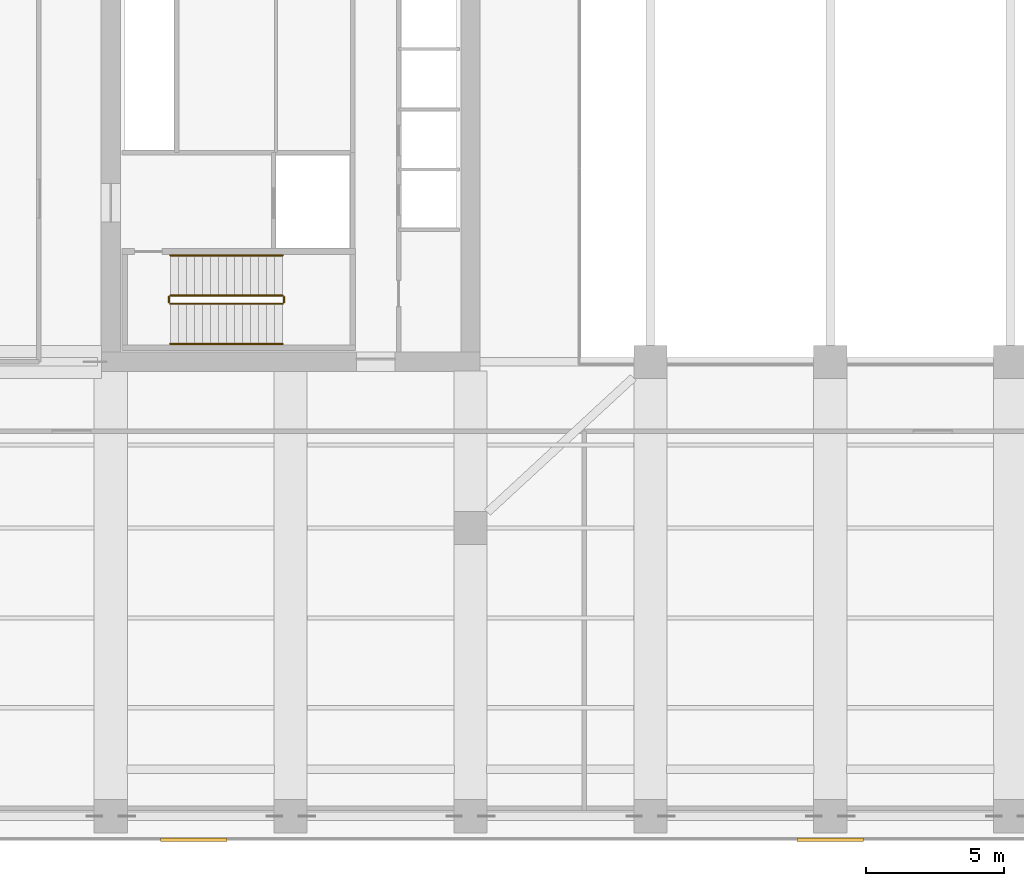
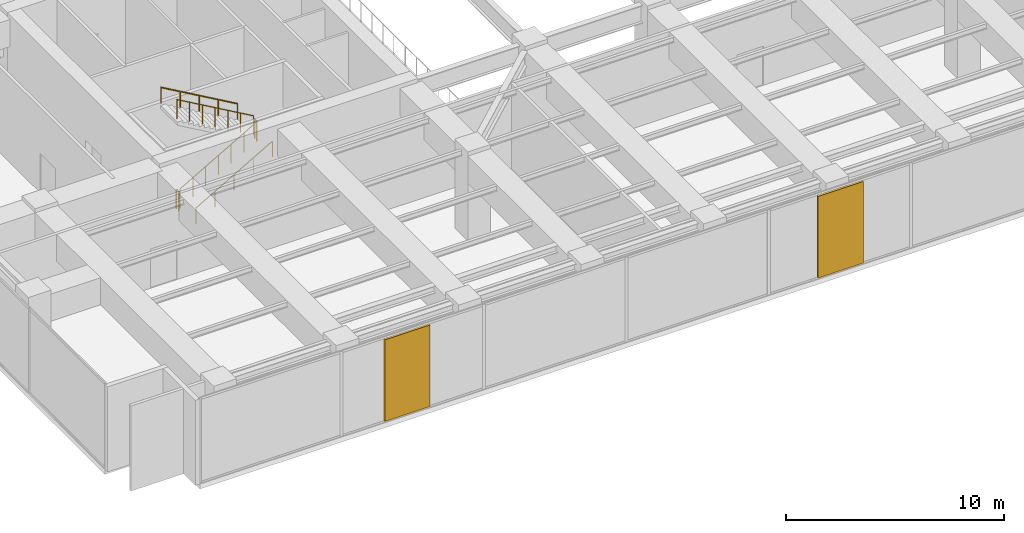
# One storey, part 25 of 28: 6 railings, 2 shading devices.
"""IFC4 building model written with IfcOpenShell, lengths in metres."""

from ifc_helpers import new_model, si_unit, direction, frame, origin, origin_2d, place, context, subcontext, project, spatial, rectangle, circle, extrude, material, layer, layer_set, type_object, element, save


model = new_model("IFC4")

# Units and contexts
model_context = context("Model", 3, precision=1e-05, world=origin(), true_north=direction((0.0, 1.0)))
body_context = subcontext(model_context, "Body", "Model", "MODEL_VIEW")
ifc_project = project(units=[si_unit("LENGTHUNIT", "METRE"), si_unit("AREAUNIT", "SQUARE_METRE"), si_unit("VOLUMEUNIT", "CUBIC_METRE"), si_unit("PLANEANGLEUNIT", "RADIAN"), si_unit("MASSUNIT", "GRAM", prefix="KILO")], contexts=[model_context])

# Site, building, storey
site_placement = place(None, origin())
site = spatial("IfcSite", under=ifc_project, at=site_placement, CompositionType="ELEMENT")
building_placement = place(site_placement, origin())
building = spatial("IfcBuilding", under=site, at=building_placement, Name="Putna Gate Headquarters", CompositionType="ELEMENT")
storey_placement = place(building_placement, frame((0.0, 0.0, 139.199951171875)))
storey = spatial("IfcBuildingStorey", under=building, at=storey_placement, Name="L34", CompositionType="ELEMENT", Elevation=139.199951171875)

# Railings
ifc_material_1 = material(Name="Powder-coated steel stair guardrail", Category="steel")
railing_type_1 = type_object("IfcRailingType", Name="RAIL-STAIR-GUARD-1100", PredefinedType="GUARDRAIL", material=ifc_material_1)
railing_1_placement = place(storey_placement, frame((15.14990234375, 21.10009765625, 0.166748046875)))
element("IfcRailing", 1, at=railing_1_placement, inside=storey, type_object=railing_type_1, Name="L34 ST1 stair guard 1", PredefinedType="GUARDRAIL", context=body_context, shape_type="SweptSolid", body=[
    extrude(circle(Radius=0.02392578125, at=origin_2d()), frame((0.0, 0.0, 1.076171875), z_axis=(0.867024558463, 0.0, 0.498265406207), x_axis=(0.0, 1.0, 0.0)), (0.0, 0.0, 1.0), 4.682861328125),
    extrude(circle(Radius=0.02099609375, at=origin_2d()), origin(), (0.0, 0.0, 1.0), 1.052001953125),
    extrude(circle(Radius=0.02099609375, at=origin_2d()), frame((0.6767578125, 0.0, 0.388916015625)), (0.0, 0.0, 1.0), 1.052001953125),
    extrude(circle(Radius=0.02099609375, at=origin_2d()), frame((1.353271484375, 0.0, 0.77783203125)), (0.0, 0.0, 1.0), 1.052001953125),
    extrude(circle(Radius=0.02099609375, at=origin_2d()), frame((2.030029296875, 0.0, 1.16650390625)), (0.0, 0.0, 1.0), 1.052001953125),
    extrude(circle(Radius=0.02099609375, at=origin_2d()), frame((2.706787109375, 0.0, 1.555419921875)), (0.0, 0.0, 1.0), 1.052001953125),
    extrude(circle(Radius=0.02099609375, at=origin_2d()), frame((3.38330078125, 0.0, 1.9443359375)), (0.0, 0.0, 1.0), 1.052001953125),
    extrude(circle(Radius=0.02099609375, at=origin_2d()), frame((4.06005859375, 0.0, 2.333251953125)), (0.0, 0.0, 1.0), 1.052001953125),
])
railing_2_placement = place(storey_placement, frame((19.260009765625, 21.14990234375, 2.5)))
element("IfcRailing", 2, at=railing_2_placement, inside=storey, type_object=railing_type_1, Name="L34 ST1 stair guard 2", PredefinedType="GUARDRAIL", context=body_context, shape_type="SweptSolid", body=[
    extrude(circle(Radius=0.02392578125, at=origin_2d()), frame((0.0, 0.0, 1.076171875), z_axis=(0.0, 1.0, 0.0), x_axis=(-1.0, 0.0, 0.0)), (0.0, 0.0, 1.0), 0.2001953125),
    extrude(circle(Radius=0.02099609375, at=origin_2d()), origin(), (0.0, 0.0, 1.0), 1.052001953125),
    extrude(circle(Radius=0.02099609375, at=origin_2d()), frame((0.0, 0.2001953125, 0.0)), (0.0, 0.0, 1.0), 1.052001953125),
])
railing_3_placement = place(storey_placement, frame((19.2099609375, 21.39990234375, 2.666748046875)))
element("IfcRailing", 3, at=railing_3_placement, inside=storey, type_object=railing_type_1, Name="L34 ST1 stair guard 3", PredefinedType="GUARDRAIL", context=body_context, shape_type="SweptSolid", body=[
    extrude(circle(Radius=0.02392578125, at=origin_2d()), frame((0.0, 0.0, 1.076171875), z_axis=(-0.867024558463, 0.0, 0.498265406207), x_axis=(0.0, -1.0, 0.0)), (0.0, 0.0, 1.0), 4.682861328125),
    extrude(circle(Radius=0.02099609375, at=origin_2d()), origin(), (0.0, 0.0, 1.0), 1.052001953125),
    extrude(circle(Radius=0.02099609375, at=origin_2d()), frame((-0.6767578125, 0.0, 0.388916015625)), (0.0, 0.0, 1.0), 1.052001953125),
    extrude(circle(Radius=0.02099609375, at=origin_2d()), frame((-1.353271484375, 0.0, 0.77783203125)), (0.0, 0.0, 1.0), 1.052001953125),
    extrude(circle(Radius=0.02099609375, at=origin_2d()), frame((-2.030029296875, 0.0, 1.16650390625)), (0.0, 0.0, 1.0), 1.052001953125),
    extrude(circle(Radius=0.02099609375, at=origin_2d()), frame((-2.706787109375, 0.0, 1.555419921875)), (0.0, 0.0, 1.0), 1.052001953125),
    extrude(circle(Radius=0.02099609375, at=origin_2d()), frame((-3.38330078125, 0.0, 1.9443359375)), (0.0, 0.0, 1.0), 1.052001953125),
    extrude(circle(Radius=0.02099609375, at=origin_2d()), frame((-4.06005859375, 0.0, 2.333251953125)), (0.0, 0.0, 1.0), 1.052001953125),
])
railing_4_placement = place(storey_placement, frame((15.10009765625, 21.14990234375, 0.0)))
element("IfcRailing", 4, at=railing_4_placement, inside=storey, type_object=railing_type_1, Name="L34 ST1 stair guard 4", PredefinedType="GUARDRAIL", context=body_context, shape_type="SweptSolid", body=[
    extrude(circle(Radius=0.02392578125, at=origin_2d()), frame((0.0, 0.0, 1.076171875), z_axis=(0.0, 1.0, 0.0), x_axis=(-1.0, 0.0, 0.0)), (0.0, 0.0, 1.0), 0.2001953125),
    extrude(circle(Radius=0.02099609375, at=origin_2d()), origin(), (0.0, 0.0, 1.0), 1.052001953125),
    extrude(circle(Radius=0.02099609375, at=origin_2d()), frame((0.0, 0.2001953125, 0.0)), (0.0, 0.0, 1.0), 1.052001953125),
])
ifc_material_2 = material(Name="Brushed stainless steel handrail", Category="steel")
railing_type_2 = type_object("IfcRailingType", Name="RAIL-STAIR-HAND-900", PredefinedType="HANDRAIL", material=ifc_material_2)
railing_5_placement = place(storey_placement, frame((15.14990234375, 19.64990234375, 0.166748046875)))
element("IfcRailing", 5, at=railing_5_placement, inside=storey, type_object=railing_type_2, Name="L34 ST1 stair handrail 1", PredefinedType="HANDRAIL", context=body_context, shape_type="SweptSolid", body=[
    extrude(circle(Radius=0.02392578125, at=origin_2d()), frame((0.0, 0.0, 0.8759765625), z_axis=(0.867024558463, 0.0, 0.498265406207), x_axis=(0.0, 1.0, 0.0)), (0.0, 0.0, 1.0), 4.682861328125),
    extrude(circle(Radius=0.02099609375, at=origin_2d()), origin(), (0.0, 0.0, 1.0), 0.851806640625),
    extrude(circle(Radius=0.02099609375, at=origin_2d()), frame((1.01513671875, 0.0, 0.583251953125)), (0.0, 0.0, 1.0), 0.851806640625),
    extrude(circle(Radius=0.02099609375, at=origin_2d()), frame((2.030029296875, 0.0, 1.16650390625)), (0.0, 0.0, 1.0), 0.851806640625),
    extrude(circle(Radius=0.02099609375, at=origin_2d()), frame((3.044921875, 0.0, 1.75)), (0.0, 0.0, 1.0), 0.851806640625),
    extrude(circle(Radius=0.02099609375, at=origin_2d()), frame((4.06005859375, 0.0, 2.333251953125)), (0.0, 0.0, 1.0), 0.851806640625),
])
railing_6_placement = place(storey_placement, frame((19.2099609375, 22.85009765625, 2.666748046875)))
element("IfcRailing", 6, at=railing_6_placement, inside=storey, type_object=railing_type_2, Name="L34 ST1 stair handrail 2", PredefinedType="HANDRAIL", context=body_context, shape_type="SweptSolid", body=[
    extrude(circle(Radius=0.02392578125, at=origin_2d()), frame((0.0, 0.0, 0.8759765625), z_axis=(-0.867024558463, 0.0, 0.498265406207), x_axis=(0.0, -1.0, 0.0)), (0.0, 0.0, 1.0), 4.682861328125),
    extrude(circle(Radius=0.02099609375, at=origin_2d()), origin(), (0.0, 0.0, 1.0), 0.851806640625),
    extrude(circle(Radius=0.02099609375, at=origin_2d()), frame((-1.01513671875, 0.0, 0.583251953125)), (0.0, 0.0, 1.0), 0.851806640625),
    extrude(circle(Radius=0.02099609375, at=origin_2d()), frame((-2.030029296875, 0.0, 1.16650390625)), (0.0, 0.0, 1.0), 0.851806640625),
    extrude(circle(Radius=0.02099609375, at=origin_2d()), frame((-3.044921875, 0.0, 1.75)), (0.0, 0.0, 1.0), 0.851806640625),
    extrude(circle(Radius=0.02099609375, at=origin_2d()), frame((-4.06005859375, 0.0, 2.333251953125)), (0.0, 0.0, 1.0), 0.851806640625),
])

# Shading devices
ifc_material_3 = material(Name="Anodised bronze acoustic weather louvre", Category="aluminium")
ifc_layer = layer(ifc_material_3, 0.1201171875)
ifc_layer_set = layer_set([ifc_layer], Name="Anodised bronze acoustic weather louvre")
shading_device_type = type_object("IfcShadingDeviceType", Name="SHADE-PLANT-LOUVRE", PredefinedType="JALOUSIE", material=ifc_layer_set)
for number, where, z_axis, x_axis, name in (
    (7, (16.0, 1.72998046875, 0.10009765625), (0.0, 0.0, 1.0), (1.0, 0.0, 0.0), "L34 Bronze Acoustic Louvre S1"),
    (8, (39.0, 1.72998046875, 0.10009765625), (0.0, 0.0, 1.0), (1.0, 0.0, 0.0), "L34 Bronze Acoustic Louvre S2"),
):
    element("IfcShadingDevice", number, at=place(storey_placement, frame(where, z_axis=z_axis, x_axis=x_axis)), inside=storey, type_object=shading_device_type, Name=name, PredefinedType="JALOUSIE", context=body_context, shape_type="SweptSolid", body=[
        extrude(rectangle(XDim=2.39990234375, YDim=0.1201171875, at=origin_2d()), origin(), (0.0, 0.0, 1.0), 4.572021484375),
    ])

save(model, "model.ifc")
